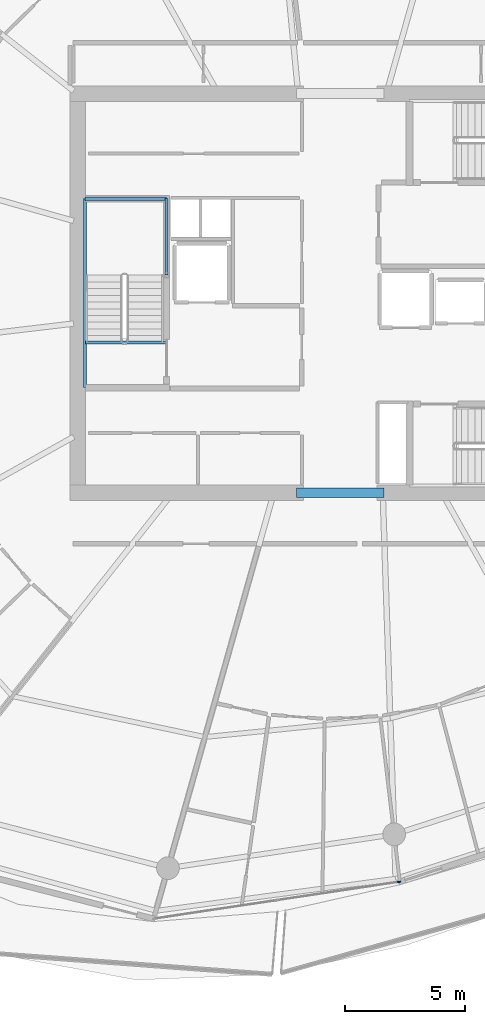
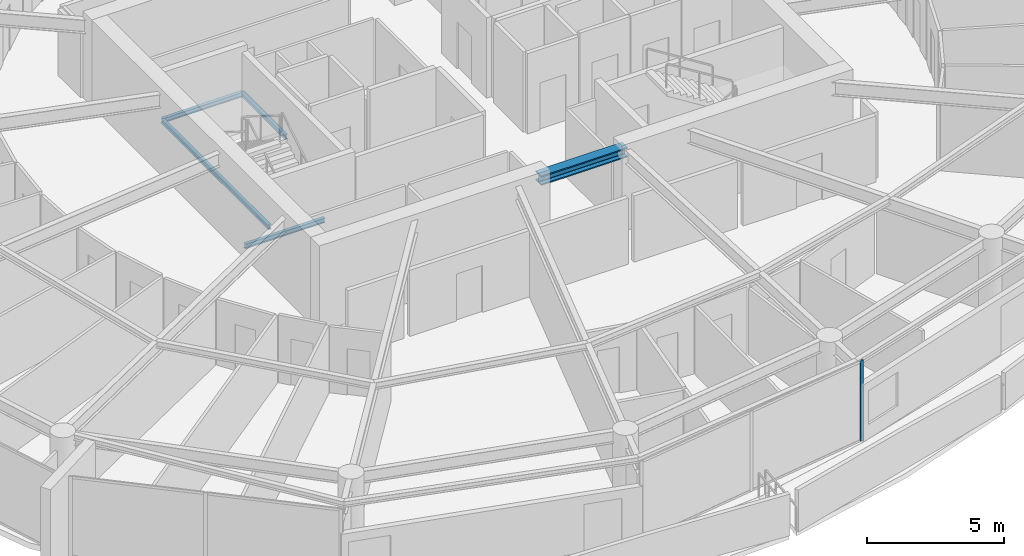
# One storey, part 9 of 30: 5 beams, 1 member, 1 element without a shape of its own.
"""IFC4 building model written with IfcOpenShell, lengths in metres."""

from ifc_helpers import new_model, si_unit, direction, frame, origin, origin_2d, place, context, subcontext, project, spatial, rectangle, i_section, extrude, material, layer, layer_set, material_profile, profile_set, type_object, element, aggregate, save


model = new_model("IFC4")

# Units and contexts
model_context = context("Model", 3, precision=1e-05, world=origin(), true_north=direction((0.0, 1.0)))
body_context = subcontext(model_context, "Body", "Model", "MODEL_VIEW")
ifc_project = project(units=[si_unit("LENGTHUNIT", "METRE"), si_unit("AREAUNIT", "SQUARE_METRE"), si_unit("VOLUMEUNIT", "CUBIC_METRE"), si_unit("PLANEANGLEUNIT", "RADIAN"), si_unit("MASSUNIT", "GRAM", prefix="KILO")], contexts=[model_context])

# Site, building, storey
site_placement = place(None, origin())
site = spatial("IfcSite", under=ifc_project, at=site_placement, CompositionType="ELEMENT")
building_placement = place(site_placement, origin())
building = spatial("IfcBuilding", under=site, at=building_placement, Name="Kazma Halo Residences", CompositionType="ELEMENT")
storey_placement = place(building_placement, frame((0.0, 0.0, 267.5)))
storey = spatial("IfcBuildingStorey", under=building, at=storey_placement, Name="L67", CompositionType="ELEMENT", Elevation=267.5)

# Beams
ifc_material_1 = material(Name="Steel S355", Category="steel")
ifc_material_profile_1 = material_profile(ifc_material_1, i_section(OverallWidth=0.408935546875, OverallDepth=0.425048828125, WebThickness=0.03271484375, FlangeThickness=0.052490234375, FilletRadius=0.02001953125, at=origin_2d()), Name="W360x421")
ifc_profile_set_1 = profile_set([ifc_material_profile_1], Name="Steel S355")
beam_type_1 = type_object("IfcBeamType", Name="BM-CORE-W360H", PredefinedType="BEAM", material=ifc_profile_set_1)
beam_1_placement = place(storey_placement, frame((46.60009765625, 33.675048828125, 3.37744140625), z_axis=(1.0, 0.0, 0.0), x_axis=(0.0, 1.0, 0.0)))
element("IfcBeam", 1, at=beam_1_placement, inside=storey, type_object=beam_type_1, Name="L67 core coupling beam S", PredefinedType="BEAM", context=body_context, shape_type="SweptSolid", body=[
    extrude(i_section(OverallWidth=0.408935546875, OverallDepth=0.425048828125, WebThickness=0.03271484375, FlangeThickness=0.052490234375, FilletRadius=0.02001953125, at=origin_2d()), origin(), (0.0, 0.0, 1.0), 3.64990234375),
])
ifc_material_profile_2 = material_profile(ifc_material_1, i_section(OverallWidth=0.133056640625, OverallDepth=0.20703125, WebThickness=0.005859375, FlangeThickness=0.00830078125, FilletRadius=0.010009765625, at=origin_2d()), Name="W200x26.6")
ifc_profile_set_2 = profile_set([ifc_material_profile_2], Name="Steel S355")
beam_type_2 = type_object("IfcBeamType", Name="BM-TRIM-W200", PredefinedType="BEAM", material=ifc_profile_set_2)
beam_2_placement = place(storey_placement, frame((37.800048828125, 39.949951171875, -0.3701171875), z_axis=(1.0, 0.0, 0.0), x_axis=(0.0, 1.0, 0.0)))
element("IfcBeam", 2, at=beam_2_placement, inside=storey, type_object=beam_type_2, Name="L67 ST-01 floor landing support beam", PredefinedType="BEAM", context=body_context, shape_type="SweptSolid", body=[
    extrude(i_section(OverallWidth=0.133056640625, OverallDepth=0.20703125, WebThickness=0.005859375, FlangeThickness=0.00830078125, FilletRadius=0.010009765625, at=origin_2d()), origin(), (0.0, 0.0, 1.0), 3.3798828125),
])
beam_3_placement = place(storey_placement, frame((37.780029296875, 38.06005859375, 1.6201171875), z_axis=(0.0, 1.0, 0.0), x_axis=(-1.0, 0.0, 0.0)))
element("IfcBeam", 3, at=beam_3_placement, inside=storey, type_object=beam_type_2, Name="L67 ST-01 landing west wall ledger", PredefinedType="BEAM", context=body_context, shape_type="SweptSolid", body=[
    extrude(i_section(OverallWidth=0.133056640625, OverallDepth=0.20703125, WebThickness=0.005859375, FlangeThickness=0.00830078125, FilletRadius=0.010009765625, at=origin_2d()), origin(), (0.0, 0.0, 1.0), 7.8798828125),
])
beam_4_placement = place(storey_placement, frame((41.179931640625, 42.75, 1.6201171875), z_axis=(0.0, 1.0, 0.0), x_axis=(-1.0, 0.0, 0.0)))
element("IfcBeam", 4, at=beam_4_placement, inside=storey, type_object=beam_type_2, Name="L67 ST-01 landing east wall ledger", PredefinedType="BEAM", context=body_context, shape_type="SweptSolid", body=[
    extrude(i_section(OverallWidth=0.133056640625, OverallDepth=0.20703125, WebThickness=0.005859375, FlangeThickness=0.00830078125, FilletRadius=0.010009765625, at=origin_2d()), origin(), (0.0, 0.0, 1.0), 3.18994140625),
])
beam_5_placement = place(storey_placement, frame((37.780029296875, 45.93994140625, 1.6201171875), z_axis=(1.0, 0.0, 0.0), x_axis=(0.0, 1.0, 0.0)))
element("IfcBeam", 5, at=beam_5_placement, inside=storey, type_object=beam_type_2, Name="L67 ST-01 landing end wall ledger", PredefinedType="BEAM", context=body_context, shape_type="SweptSolid", body=[
    extrude(i_section(OverallWidth=0.133056640625, OverallDepth=0.20703125, WebThickness=0.005859375, FlangeThickness=0.00830078125, FilletRadius=0.010009765625, at=origin_2d()), origin(), (0.0, 0.0, 1.0), 3.39990234375),
])

# Curtain wall, member
ifc_material_2 = material(Name="Aluminium AW-6063 T6 and Triple-Silver Low-E Glass", Category="aluminium")
ifc_layer = layer(ifc_material_2, 0.139892578125)
ifc_layer_set = layer_set([ifc_layer], Name="Aluminium AW-6063 T6 and Triple-Silver Low-E Glass")
curtain_wall_type = type_object("IfcCurtainWallType", Name="CW-SYS-5", PredefinedType="NOTDEFINED", material=ifc_layer_set)
curtain_wall_placement = place(storey_placement, origin())
curtain_wall = element("IfcCurtainWall", 6, at=curtain_wall_placement, inside=storey, type_object=curtain_wall_type, Name="L67 unitised curtain wall B11", PredefinedType="NOTDEFINED")
ifc_material_3 = material(Name="Aluminium AW-6063 T6", Category="aluminium")
ifc_material_profile_3 = material_profile(ifc_material_3, rectangle(XDim=0.06005859375, YDim=0.139892578125, at=origin_2d()), Name="CWM-60x140")
ifc_profile_set_3 = profile_set([ifc_material_profile_3], Name="Aluminium AW-6063 T6")
member_type = type_object("IfcMemberType", Name="CW-SYS-5-MUL", PredefinedType="MULLION", material=ifc_profile_set_3)
member_placement = place(storey_placement, frame((50.875732421875, 17.447265625, 0.0), z_axis=(0.0, 0.0, 1.0), x_axis=(-0.148697080374, 0.988882792998, 0.0)))
member = element("IfcMember", 7, at=member_placement, type_object=member_type, Name="CWS-5 mullion 3", PredefinedType="MULLION", context=body_context, shape_type="SweptSolid", body=[
    extrude(rectangle(XDim=0.06005859375, YDim=0.139892578125, at=origin_2d()), origin(), (0.0, 0.0, 1.0), 3.590087890625),
])
aggregate(curtain_wall, [member])

save(model, "model.ifc")
